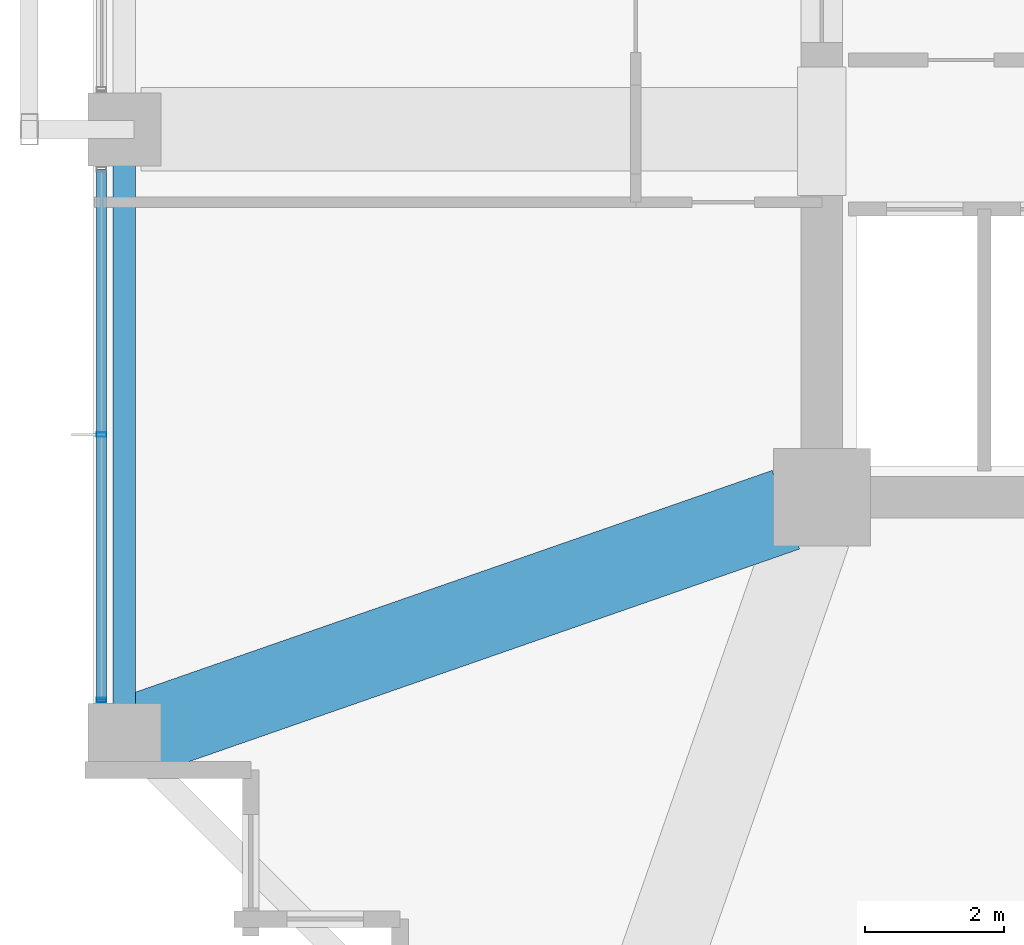
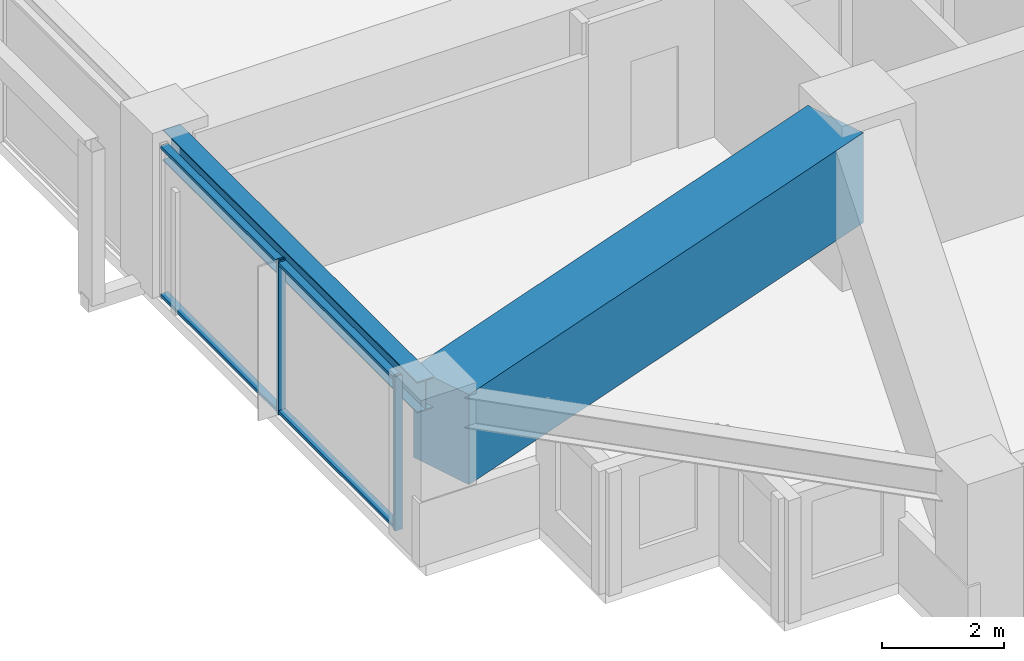
# One storey, part 3 of 39: 4 members, 2 beams, 1 element without a shape of its own.
"""IFC4 building model written with IfcOpenShell, lengths in metres."""

from ifc_helpers import new_model, si_unit, direction, frame, origin, origin_2d, place, context, subcontext, project, spatial, rectangle, hollow_rectangle, i_section, extrude, material, material_profile, profile_set, type_object, element, aggregate, save


model = new_model("IFC4")

# Units and contexts
model_context = context("Model", 3, precision=1e-05, world=origin(), true_north=direction((0.0, 1.0)))
body_context = subcontext(model_context, "Body", "Model", "MODEL_VIEW")
ifc_project = project(units=[si_unit("LENGTHUNIT", "METRE"), si_unit("AREAUNIT", "SQUARE_METRE"), si_unit("VOLUMEUNIT", "CUBIC_METRE"), si_unit("PLANEANGLEUNIT", "RADIAN"), si_unit("MASSUNIT", "GRAM", prefix="KILO")], contexts=[model_context])

# Site, building, storey
site_placement = place(None, origin())
site = spatial("IfcSite", under=ifc_project, at=site_placement, CompositionType="ELEMENT")
building_placement = place(site_placement, origin())
building = spatial("IfcBuilding", under=site, at=building_placement, Name="Kolvaren Belvedere", CompositionType="ELEMENT")
storey_placement = place(building_placement, frame((0.0, 0.0, 85.39990234375)))
storey = spatial("IfcBuildingStorey", under=building, at=storey_placement, Name="L24", CompositionType="ELEMENT", Elevation=85.39990234375)

# Beams
ifc_material_1 = material(Name="Structural steel ASTM A992 Grade 50", Category="steel")
ifc_material_profile_1 = material_profile(ifc_material_1, i_section(OverallWidth=0.324951171875, OverallDepth=0.615966796875, WebThickness=0.013916015625, FlangeThickness=0.021484375, FilletRadius=0.02001953125, at=origin_2d()), Name="W24X117")
ifc_profile_set_1 = profile_set([ifc_material_profile_1], Name="Structural steel ASTM A992 Grade 50")
beam_type_1 = type_object("IfcBeamType", Name="BM-SPAN-W24X117", PredefinedType="SPANDREL", material=ifc_profile_set_1)
beam_1_placement = place(storey_placement, frame((-19.949951171875, -4.836181640625, 2.772216796875), z_axis=(0.0, -1.0, 0.0), x_axis=(1.0, 0.0, 0.0)))
element("IfcBeam", 1, at=beam_1_placement, inside=storey, type_object=beam_type_1, Name="L24 Perimeter Spandrel W2-W1", PredefinedType="SPANDREL", context=body_context, shape_type="SweptSolid", body=[
    extrude(i_section(OverallWidth=0.324951171875, OverallDepth=0.615966796875, WebThickness=0.013916015625, FlangeThickness=0.021484375, FilletRadius=0.02001953125, at=origin_2d()), origin(), (0.0, 0.0, 1.0), 8.32763671875),
])
ifc_material_2 = material(Name="Concrete C50/60", Category="concrete")
ifc_material_profile_2 = material_profile(ifc_material_2, rectangle(XDim=1.199951171875, YDim=1.800048828125, at=origin_2d()), Name="RC 1200X1800")
ifc_profile_set_2 = profile_set([ifc_material_profile_2], Name="Concrete C50/60")
beam_type_2 = type_object("IfcBeamType", Name="BM-TG-1800", PredefinedType="BEAM", material=ifc_profile_set_2)
beam_2_placement = place(storey_placement, frame((-10.41943359375, -10.080810546875, 2.18017578125), z_axis=(-0.944371408538, -0.328880894453, 0.0), x_axis=(0.328880894453, -0.944371408538, 0.0)))
element("IfcBeam", 2, at=beam_2_placement, inside=storey, type_object=beam_type_2, Name="L24 Corner Core-to-Perimeter Girder CC1-W1", PredefinedType="BEAM", context=body_context, shape_type="SweptSolid", body=[
    extrude(rectangle(XDim=1.199951171875, YDim=1.800048828125, at=origin_2d()), origin(), (0.0, 0.0, 1.0), 9.882080078125),
])

# Curtain wall, members
ifc_material_3 = material(Name="Anodised pale-metal aluminium AA 6063-T6", Category="aluminium")
curtain_wall_type = type_object("IfcCurtainWallType", Name="CW-Z2-MID", PredefinedType="NOTDEFINED", material=ifc_material_3)
curtain_wall_placement = place(storey_placement, origin())
curtain_wall = element("IfcCurtainWall", 3, at=curtain_wall_placement, inside=storey, type_object=curtain_wall_type, Name="L24 Unitised Curtain Wall FCW-L24-W-B1", PredefinedType="NOTDEFINED")
ifc_material_4 = material(Name="Anodised pale-metal aluminium AA 6063-T6", Category="aluminium")
ifc_material_profile_3 = material_profile(ifc_material_4, hollow_rectangle(XDim=0.06494140625, YDim=0.139892578125, WallThickness=0.00390625, at=origin_2d()), Name="ALU-MUL-140X65")
ifc_profile_set_3 = profile_set([ifc_material_profile_3], Name="Anodised pale-metal aluminium AA 6063-T6")
member_type_1 = type_object("IfcMemberType", Name="CW-MUL-140", PredefinedType="MULLION", material=ifc_profile_set_3)
member_1_placement = place(storey_placement, frame((-20.280029296875, -12.822509765625, 0.0), z_axis=(0.0, 0.0, 1.0), x_axis=(0.0, 1.0, 0.0)))
member_1 = element("IfcMember", 4, at=member_1_placement, type_object=member_type_1, Name="FCW-L24-W-B1 Unitised Mullion 1", PredefinedType="MULLION", context=body_context, shape_type="SweptSolid", body=[
    extrude(hollow_rectangle(XDim=0.06494140625, YDim=0.139892578125, WallThickness=0.00390625, at=origin_2d()), origin(), (0.0, 0.0, 1.0), 3.080078125),
])
member_2_placement = place(storey_placement, frame((-20.280029296875, -9.0, 0.0), z_axis=(0.0, 0.0, 1.0), x_axis=(0.0, 1.0, 0.0)))
member_2 = element("IfcMember", 5, at=member_2_placement, type_object=member_type_1, Name="FCW-L24-W-B1 Unitised Mullion 2", PredefinedType="MULLION", context=body_context, shape_type="SweptSolid", body=[
    extrude(hollow_rectangle(XDim=0.06494140625, YDim=0.139892578125, WallThickness=0.00390625, at=origin_2d()), origin(), (0.0, 0.0, 1.0), 3.080078125),
])
ifc_material_5 = material(Name="Anodised pale-metal aluminium AA 6063-T6", Category="aluminium")
ifc_material_profile_4 = material_profile(ifc_material_5, hollow_rectangle(XDim=0.06005859375, YDim=0.139892578125, WallThickness=0.00390625, at=origin_2d()), Name="ALU-TRN-140X60")
ifc_profile_set_4 = profile_set([ifc_material_profile_4], Name="Anodised pale-metal aluminium AA 6063-T6")
member_type_2 = type_object("IfcMemberType", Name="CW-TRN-140", PredefinedType="USERDEFINED", material=ifc_profile_set_4)
member_3_placement = place(storey_placement, frame((-20.280029296875, -12.822509765625, 0.06005859375), z_axis=(0.0, 1.0, 0.0), x_axis=(0.0, 0.0, 1.0)))
member_3 = element("IfcMember", 6, at=member_3_placement, type_object=member_type_2, Name="FCW-L24-W-B1 Sill Transom", ObjectType="TRANSOM", PredefinedType="USERDEFINED", context=body_context, shape_type="SweptSolid", body=[
    extrude(hollow_rectangle(XDim=0.06005859375, YDim=0.139892578125, WallThickness=0.00390625, at=origin_2d()), origin(), (0.0, 0.0, 1.0), 7.64501953125),
])
member_4_placement = place(storey_placement, frame((-20.280029296875, -12.822509765625, 3.02001953125), z_axis=(0.0, 1.0, 0.0), x_axis=(0.0, 0.0, 1.0)))
member_4 = element("IfcMember", 7, at=member_4_placement, type_object=member_type_2, Name="FCW-L24-W-B1 Head Transom", ObjectType="TRANSOM", PredefinedType="USERDEFINED", context=body_context, shape_type="SweptSolid", body=[
    extrude(hollow_rectangle(XDim=0.06005859375, YDim=0.139892578125, WallThickness=0.00390625, at=origin_2d()), origin(), (0.0, 0.0, 1.0), 7.64501953125),
])
aggregate(curtain_wall, [member_1, member_2, member_3, member_4])

save(model, "model.ifc")
